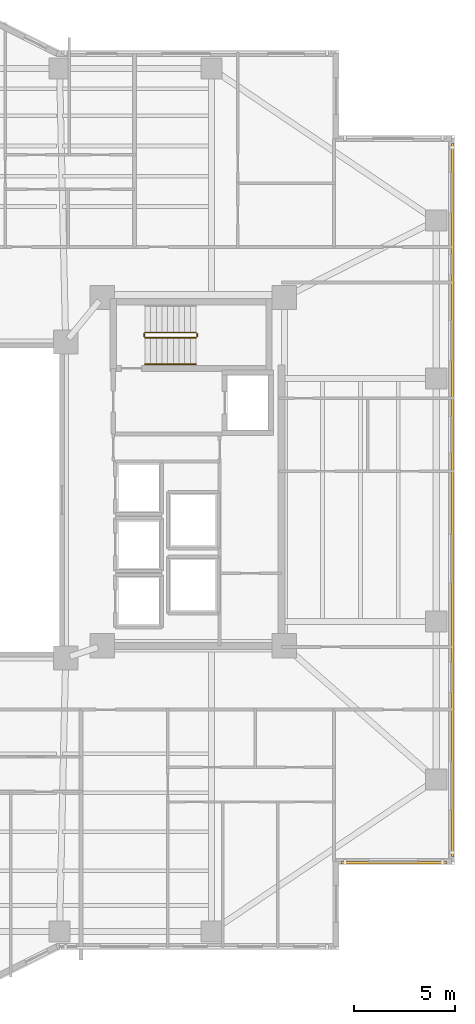
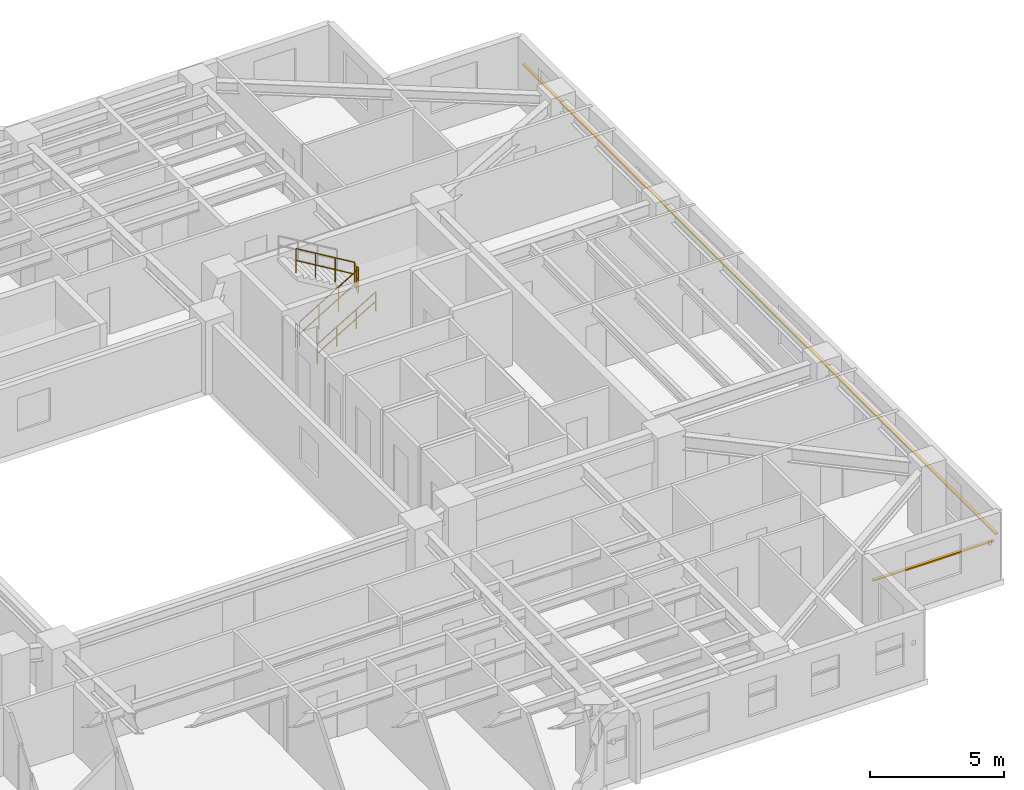
# One storey, part 17 of 19: 5 railings, 2 shading devices.
"""IFC4 building model written with IfcOpenShell, lengths in metres."""

from ifc_helpers import new_model, si_unit, direction, frame, origin, origin_2d, place, context, subcontext, project, spatial, rectangle, circle, extrude, material, material_profile, profile_set, type_object, element, save


model = new_model("IFC4")

# Units and contexts
model_context = context("Model", 3, precision=1e-05, world=origin(), true_north=direction((0.0, 1.0)))
body_context = subcontext(model_context, "Body", "Model", "MODEL_VIEW")
ifc_project = project(units=[si_unit("LENGTHUNIT", "METRE"), si_unit("AREAUNIT", "SQUARE_METRE"), si_unit("VOLUMEUNIT", "CUBIC_METRE"), si_unit("PLANEANGLEUNIT", "RADIAN"), si_unit("MASSUNIT", "GRAM", prefix="KILO")], contexts=[model_context])

# Site, building, storey
site_placement = place(None, origin())
site = spatial("IfcSite", under=ifc_project, at=site_placement, CompositionType="ELEMENT")
building_placement = place(site_placement, origin())
building = spatial("IfcBuilding", under=site, at=building_placement, Name="Tarnavaz Court Tower", CompositionType="ELEMENT")
storey_placement = place(building_placement, frame((0.0, 0.0, 81.64990234375)))
storey = spatial("IfcBuildingStorey", under=building, at=storey_placement, Name="L21", CompositionType="ELEMENT", Elevation=81.64990234375)

# Railings
ifc_material_1 = material(Name="Brushed Stainless Steel", Category="steel")
railing_type_1 = type_object("IfcRailingType", Name="RL-HANDRAIL-900", PredefinedType="HANDRAIL", material=ifc_material_1)
railing_1_placement = place(storey_placement, frame((11.719970703125, 6.699951171875, 0.16748046875)))
element("IfcRailing", 1, at=railing_1_placement, inside=storey, type_object=railing_type_1, Name="L21 ST-E1 stair handrail 1", PredefinedType="HANDRAIL", context=body_context, shape_type="SweptSolid", body=[
    extrude(circle(Radius=0.02392578125, at=origin_2d()), frame((0.0, 0.0, 0.8759765625), z_axis=(0.858159760407, 0.0, 0.513382728203), x_axis=(0.0, 1.0, 0.0)), (0.0, 0.0, 1.0), 2.9365234375),
    extrude(circle(Radius=0.02392578125, at=origin_2d()), frame((0.0, 0.0, 0.449951171875), z_axis=(0.858159760407, 0.0, 0.513382728203), x_axis=(0.0, 1.0, 0.0)), (0.0, 0.0, 1.0), 2.9365234375),
    extrude(circle(Radius=0.02099609375, at=origin_2d()), origin(), (0.0, 0.0, 1.0), 0.851806640625),
    extrude(circle(Radius=0.02099609375, at=origin_2d()), frame((0.840087890625, 0.0, 0.50244140625)), (0.0, 0.0, 1.0), 0.851806640625),
    extrude(circle(Radius=0.02099609375, at=origin_2d()), frame((1.679931640625, 0.0, 1.005126953125)), (0.0, 0.0, 1.0), 0.851806640625),
    extrude(circle(Radius=0.02099609375, at=origin_2d()), frame((2.52001953125, 0.0, 1.507568359375)), (0.0, 0.0, 1.0), 0.851806640625),
])
ifc_material_2 = material(Name="Galvanized Painted Tubular Steel", Category="steel")
railing_type_2 = type_object("IfcRailingType", Name="RL-STGUARD-1120", PredefinedType="GUARDRAIL", material=ifc_material_2)
railing_2_placement = place(storey_placement, frame((11.719970703125, 8.02001953125, 0.16748046875)))
element("IfcRailing", 2, at=railing_2_placement, inside=storey, type_object=railing_type_2, Name="L21 ST-E1 stair guard 1", PredefinedType="GUARDRAIL", context=body_context, shape_type="SweptSolid", body=[
    extrude(circle(Radius=0.02392578125, at=origin_2d()), frame((0.0, 0.0, 1.09619140625), z_axis=(0.858159760407, 0.0, 0.513382728203), x_axis=(0.0, 1.0, 0.0)), (0.0, 0.0, 1.0), 2.9365234375),
    extrude(circle(Radius=0.02392578125, at=origin_2d()), frame((0.0, 0.0, 0.56005859375), z_axis=(0.858159760407, 0.0, 0.513382728203), x_axis=(0.0, 1.0, 0.0)), (0.0, 0.0, 1.0), 2.9365234375),
    extrude(circle(Radius=0.02099609375, at=origin_2d()), origin(), (0.0, 0.0, 1.0), 1.072021484375),
    extrude(circle(Radius=0.02099609375, at=origin_2d()), frame((0.840087890625, 0.0, 0.50244140625)), (0.0, 0.0, 1.0), 1.072021484375),
    extrude(circle(Radius=0.02099609375, at=origin_2d()), frame((1.679931640625, 0.0, 1.005126953125)), (0.0, 0.0, 1.0), 1.072021484375),
    extrude(circle(Radius=0.02099609375, at=origin_2d()), frame((2.52001953125, 0.0, 1.507568359375)), (0.0, 0.0, 1.0), 1.072021484375),
])
railing_3_placement = place(storey_placement, frame((14.2900390625, 8.070068359375, 1.675048828125)))
element("IfcRailing", 3, at=railing_3_placement, inside=storey, type_object=railing_type_2, Name="L21 ST-E1 stair guard 2", PredefinedType="GUARDRAIL", context=body_context, shape_type="SweptSolid", body=[
    extrude(circle(Radius=0.02392578125, at=origin_2d()), frame((0.0, 0.0, 1.09619140625), z_axis=(0.0, 1.0, 0.0), x_axis=(-1.0, 0.0, 0.0)), (0.0, 0.0, 1.0), 0.14990234375),
    extrude(circle(Radius=0.02392578125, at=origin_2d()), frame((0.0, 0.0, 0.56005859375), z_axis=(0.0, 1.0, 0.0), x_axis=(-1.0, 0.0, 0.0)), (0.0, 0.0, 1.0), 0.14990234375),
    extrude(circle(Radius=0.02099609375, at=origin_2d()), origin(), (0.0, 0.0, 1.0), 1.072021484375),
    extrude(circle(Radius=0.02099609375, at=origin_2d()), frame((0.0, 0.14990234375, 0.0)), (0.0, 0.0, 1.0), 1.072021484375),
])
railing_4_placement = place(storey_placement, frame((14.239990234375, 8.27001953125, 1.842529296875)))
element("IfcRailing", 4, at=railing_4_placement, inside=storey, type_object=railing_type_2, Name="L21 ST-E1 stair guard 3", PredefinedType="GUARDRAIL", context=body_context, shape_type="SweptSolid", body=[
    extrude(circle(Radius=0.02392578125, at=origin_2d()), frame((0.0, 0.0, 1.09619140625), z_axis=(-0.858159760407, 0.0, 0.513382728203), x_axis=(0.0, -1.0, 0.0)), (0.0, 0.0, 1.0), 2.9365234375),
    extrude(circle(Radius=0.02392578125, at=origin_2d()), frame((0.0, 0.0, 0.56005859375), z_axis=(-0.858159760407, 0.0, 0.513382728203), x_axis=(0.0, -1.0, 0.0)), (0.0, 0.0, 1.0), 2.9365234375),
    extrude(circle(Radius=0.02099609375, at=origin_2d()), origin(), (0.0, 0.0, 1.0), 1.072021484375),
    extrude(circle(Radius=0.02099609375, at=origin_2d()), frame((-0.840087890625, 0.0, 0.50244140625)), (0.0, 0.0, 1.0), 1.072021484375),
    extrude(circle(Radius=0.02099609375, at=origin_2d()), frame((-1.679931640625, 0.0, 1.005126953125)), (0.0, 0.0, 1.0), 1.072021484375),
    extrude(circle(Radius=0.02099609375, at=origin_2d()), frame((-2.52001953125, 0.0, 1.507568359375)), (0.0, 0.0, 1.0), 1.072021484375),
])
railing_5_placement = place(storey_placement, frame((11.669921875, 8.070068359375, 0.0)))
element("IfcRailing", 5, at=railing_5_placement, inside=storey, type_object=railing_type_2, Name="L21 ST-E1 stair guard 4", PredefinedType="GUARDRAIL", context=body_context, shape_type="SweptSolid", body=[
    extrude(circle(Radius=0.02392578125, at=origin_2d()), frame((0.0, 0.0, 1.09619140625), z_axis=(0.0, 1.0, 0.0), x_axis=(-1.0, 0.0, 0.0)), (0.0, 0.0, 1.0), 0.14990234375),
    extrude(circle(Radius=0.02392578125, at=origin_2d()), frame((0.0, 0.0, 0.56005859375), z_axis=(0.0, 1.0, 0.0), x_axis=(-1.0, 0.0, 0.0)), (0.0, 0.0, 1.0), 0.14990234375),
    extrude(circle(Radius=0.02099609375, at=origin_2d()), origin(), (0.0, 0.0, 1.0), 1.072021484375),
    extrude(circle(Radius=0.02099609375, at=origin_2d()), frame((0.0, 0.14990234375, 0.0)), (0.0, 0.0, 1.0), 1.072021484375),
])

# Shading devices
ifc_material_3 = material(Name="Kiln-Fired Khorasan Terracotta Ceramic", Category="masonry")
ifc_material_profile = material_profile(ifc_material_3, rectangle(XDim=0.1201171875, YDim=0.06005859375, at=origin_2d()), Name="TC BAGUETTE 120X60")
ifc_profile_set = profile_set([ifc_material_profile], Name="Kiln-Fired Khorasan Terracotta Ceramic")
shading_device_type = type_object("IfcShadingDeviceType", Name="SD-BAG-120", PredefinedType="USERDEFINED", material=ifc_profile_set)
shading_device_1_placement = place(storey_placement, frame((26.909912109375, 17.60009765625, 1.85009765625), z_axis=(0.0, -1.0, 0.0), x_axis=(1.0, 0.0, 0.0)))
element("IfcShadingDevice", 6, at=shading_device_1_placement, inside=storey, type_object=shading_device_type, Name="L21 Terracotta Baguette Screen FBG12", ObjectType="BAGUETTE", PredefinedType="USERDEFINED", context=body_context, shape_type="SweptSolid", body=[
    extrude(rectangle(XDim=0.1201171875, YDim=0.06005859375, at=origin_2d()), origin(), (0.0, 0.0, 1.0), 35.2001953125),
])
shading_device_2_placement = place(storey_placement, frame((26.60009765625, -17.909912109375, 1.85009765625), z_axis=(-1.0, 0.0, 0.0), x_axis=(0.0, -1.0, 0.0)))
element("IfcShadingDevice", 7, at=shading_device_2_placement, inside=storey, type_object=shading_device_type, Name="L21 Terracotta Baguette Screen FBG13", ObjectType="BAGUETTE", PredefinedType="USERDEFINED", context=body_context, shape_type="SweptSolid", body=[
    extrude(rectangle(XDim=0.1201171875, YDim=0.06005859375, at=origin_2d()), origin(), (0.0, 0.0, 1.0), 5.2001953125),
])

save(model, "model.ifc")
